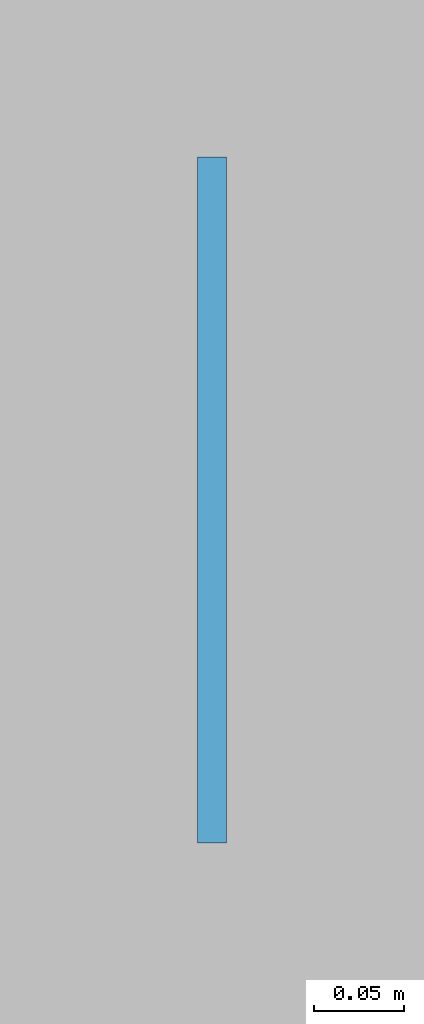
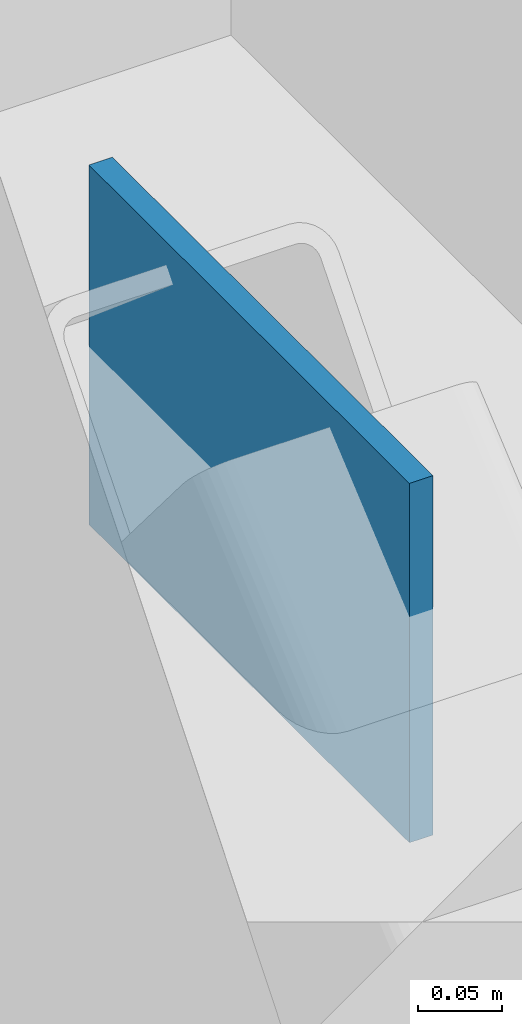
# One storey, part 97 of 132: 1 plate.
"""IFC4 building model written with IfcOpenShell, lengths in metres."""

from ifc_helpers import new_model, si_unit, direction, frame, origin, origin_2d, place, context, subcontext, project, spatial, rectangle, extrude, material, layer, layer_set, type_object, element, save


model = new_model("IFC4")

# Units and contexts
model_context = context("Model", 3, precision=1e-05, world=origin(), true_north=direction((0.0, 1.0)))
body_context = subcontext(model_context, "Body", "Model", "MODEL_VIEW")
ifc_project = project(units=[si_unit("LENGTHUNIT", "METRE"), si_unit("AREAUNIT", "SQUARE_METRE"), si_unit("VOLUMEUNIT", "CUBIC_METRE"), si_unit("PLANEANGLEUNIT", "RADIAN"), si_unit("MASSUNIT", "GRAM", prefix="KILO")], contexts=[model_context])

# Site, building, storey
site_placement = place(None, origin())
site = spatial("IfcSite", under=ifc_project, at=site_placement, CompositionType="ELEMENT")
building_placement = place(site_placement, origin())
building = spatial("IfcBuilding", under=site, at=building_placement, Name="Qasida Concert Hall", CompositionType="ELEMENT")
storey_placement = place(building_placement, frame((0.0, 0.0, 4.800048828125)))
storey = spatial("IfcBuildingStorey", under=building, at=storey_placement, Name="L01", CompositionType="ELEMENT", Elevation=4.800048828125)

# Plate
ifc_material = material(Name="Steel S355J2", Category="steel")
ifc_layer = layer(ifc_material, 0.01611328125, Name="Steel S355J2")
ifc_layer_set = layer_set([ifc_layer], Name="Steel S355J2")
plate_type = type_object("IfcPlateType", Name="PLT-PL-EC3", PredefinedType="SHEET", material=ifc_layer_set)
plate_placement = place(storey_placement, frame((105.0, 71.25, 3.0400390625), z_axis=(0.0, 0.0, 1.0), x_axis=(0.0, 1.0, 0.0)))
element("IfcPlate", 1, at=plate_placement, inside=storey, type_object=plate_type, Name="Chevron apex plate CBF-0078", PredefinedType="SHEET", context=body_context, shape_type="SweptSolid", body=[
    extrude(rectangle(XDim=0.3798828125, YDim=0.01611328125, at=origin_2d()), origin(), (0.0, 0.0, 1.0), 0.260009765625),
])

save(model, "model.ifc")
